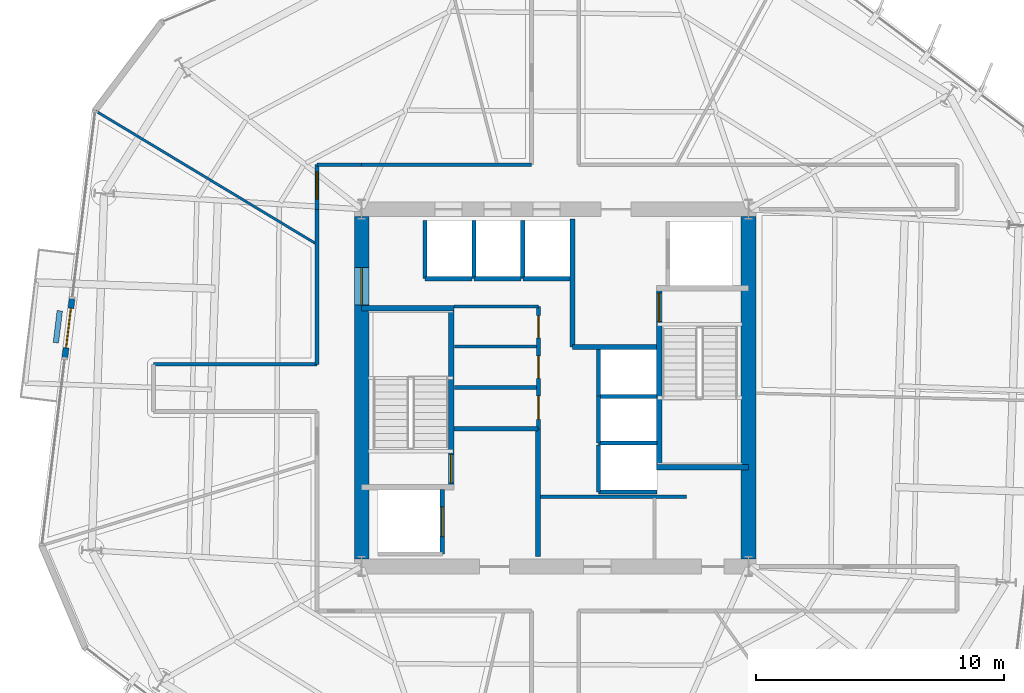
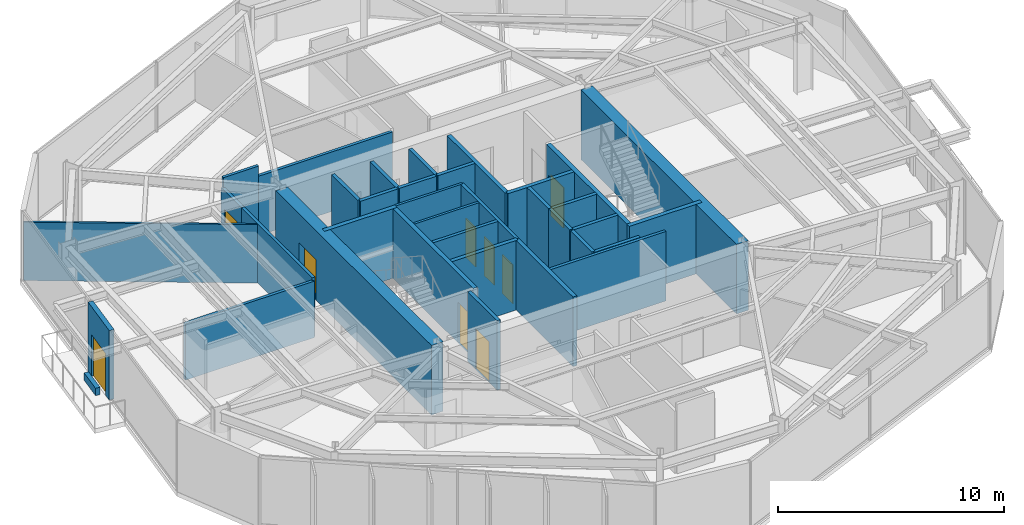
# One storey, part 7 of 11: 36 walls, 9 doors, 9 openings.
"""IFC4 building model written with IfcOpenShell, lengths in metres."""

from ifc_helpers import new_model, si_unit, direction, frame, frame_2d, origin, place, context, subcontext, project, spatial, rectangle, extrude, material, layer, layer_set, type_object, element, fill, save


model = new_model("IFC4")

# Units and contexts
model_context = context("Model", 3, precision=1e-05, world=origin(), true_north=direction((0.0, 1.0)))
body_context = subcontext(model_context, "Body", "Model", "MODEL_VIEW")
ifc_project = project(units=[si_unit("LENGTHUNIT", "METRE"), si_unit("AREAUNIT", "SQUARE_METRE"), si_unit("VOLUMEUNIT", "CUBIC_METRE"), si_unit("PLANEANGLEUNIT", "RADIAN"), si_unit("MASSUNIT", "GRAM", prefix="KILO")], contexts=[model_context])

# Site, building, storey
site_placement = place(None, origin())
site = spatial("IfcSite", under=ifc_project, at=site_placement, CompositionType="ELEMENT")
building_placement = place(site_placement, origin())
building = spatial("IfcBuilding", under=site, at=building_placement, Name="Kranzbogen Civic Tower", CompositionType="ELEMENT")
storey_placement = place(building_placement, frame((0.0, 0.0, 114.39990234375)))
storey = spatial("IfcBuildingStorey", under=building, at=storey_placement, Name="L27", CompositionType="ELEMENT", Elevation=114.39990234375)

# Walls
ifc_material_1 = material(Name="Double-Stud Acoustic Gypsum Partition")
ifc_layer_1 = layer(ifc_material_1, 0.14990234375, Name="Double-Stud Acoustic Gypsum Partition")
ifc_layer_set_1 = layer_set([ifc_layer_1], Name="Double-Stud Acoustic Gypsum Partition")
wall_type_1 = type_object("IfcWallType", Name="Acoustic Corridor and Clinical Partition 150 mm", PredefinedType="PARTITIONING", material=ifc_layer_set_1)
wall_1_placement = place(storey_placement, frame((24.39990234375, 20.610107421875, 0.0), z_axis=(0.0, 0.0, 1.0), x_axis=(1.0, 0.0, 0.0)))
element("IfcWall", 1, at=wall_1_placement, inside=storey, type_object=wall_type_1, Name="L27 records zone North wall", PredefinedType="PARTITIONING", context=body_context, shape_type="SweptSolid", body=[
    extrude(rectangle(XDim=5.900146484375, YDim=0.14990234375, at=frame_2d((2.9501953125, 0.0))), origin(), (0.0, 0.0, 1.0), 3.760009765625),
])
wall_2_placement = place(storey_placement, frame((8.800048828125, 25.949951171875, 0.0), z_axis=(0.0, 0.0, 1.0), x_axis=(1.0, 0.0, 0.0)))
element("IfcWall", 2, at=wall_2_placement, inside=storey, type_object=wall_type_1, Name="L27 corridor partition 06", PredefinedType="PARTITIONING", context=body_context, shape_type="SweptSolid", body=[
    extrude(rectangle(XDim=6.599853515625, YDim=0.14990234375, at=frame_2d((3.2998046875, 0.0))), origin(), (0.0, 0.0, 1.0), 3.050048828125),
])
wall_3_placement = place(storey_placement, frame((15.39990234375, 25.949951171875, 0.0), z_axis=(0.0, 0.0, 1.0), x_axis=(0.0, 1.0, 0.0)))
element("IfcWall", 3, at=wall_3_placement, inside=storey, type_object=wall_type_1, Name="L27 corridor partition 07", PredefinedType="PARTITIONING", context=body_context, shape_type="SweptSolid", body=[
    extrude(rectangle(XDim=6.25, YDim=0.14990234375, at=frame_2d((3.125, 0.0))), origin(), (0.0, 0.0, 1.0), 3.210205078125),
])

# Wall, opening, door
wall_4_placement = place(storey_placement, frame((15.39990234375, 32.199951171875, 0.0), z_axis=(0.0, 0.0, 1.0), x_axis=(0.0, 1.0, 0.0)))
wall_4 = element("IfcWall", 4, at=wall_4_placement, inside=storey, type_object=wall_type_1, Name="L27 corridor partition 08", PredefinedType="PARTITIONING", context=body_context, shape_type="SweptSolid", body=[
    extrude(rectangle(XDim=1.800048828125, YDim=0.14990234375, at=frame_2d((0.89990234375, 0.0))), origin(), (0.0, 0.0, 1.0), 3.210205078125),
])
opening_1_placement = place(wall_4_placement, frame((0.4130859375, 0.0, 0.0)))
opening_1 = element("IfcOpeningElement", 5, at=opening_1_placement, cuts=wall_4, Name="Opening D-COR60", PredefinedType="OPENING", context=body_context, shape_type="SweptSolid", body=[
    extrude(rectangle(XDim=1.10009765625, YDim=2.199951171875, at=frame_2d((0.550048828125, 1.10009765625))), frame((0.0, 0.0849609375, 0.0), z_axis=(0.0, -1.0, 0.0), x_axis=(1.0, 0.0, 0.0)), (0.0, 0.0, 1.0), 0.169921875),
])
ifc_material_2 = material(Name="Oak Timber and Fire Core", Category="wood")
door_type_1 = type_object("IfcDoorType", Name="Corridor Acoustic Fire Door 1100x2200", OperationType="NOTDEFINED", PredefinedType="DOOR", material=ifc_material_2)
door_1_placement = place(opening_1_placement, origin())
door_1 = element("IfcDoor", 6, at=door_1_placement, inside=storey, type_object=door_type_1, Name="L27 Protocol Dining Room door", OperationType="SINGLE_SWING_LEFT", OverallHeight=2.199951171875, OverallWidth=1.10009765625, PredefinedType="DOOR", context=body_context, shape_type="SweptSolid", body=[
    extrude(rectangle(XDim=1.10009765625, YDim=2.199951171875, at=frame_2d((0.550048828125, 1.10009765625))), frame((0.0, 0.02490234375, 0.0), z_axis=(0.0, -1.0, 0.0), x_axis=(1.0, 0.0, 0.0)), (0.0, 0.0, 1.0), 0.050048828125),
])
fill(opening_1, door_1)

# Walls
wall_5_placement = place(storey_placement, frame((15.39990234375, 34.0, 0.0), z_axis=(0.0, 0.0, 1.0), x_axis=(1.0, 0.0, 0.0)))
element("IfcWall", 7, at=wall_5_placement, inside=storey, type_object=wall_type_1, Name="L27 corridor partition 09", PredefinedType="PARTITIONING", context=body_context, shape_type="SweptSolid", body=[
    extrude(rectangle(XDim=1.800048828125, YDim=0.14990234375, at=frame_2d((0.89990234375, 0.0))), origin(), (0.0, 0.0, 1.0), 3.760009765625),
])
wall_6_placement = place(storey_placement, frame((17.199951171875, 34.0, 0.0), z_axis=(0.0, 0.0, 1.0), x_axis=(1.0, 0.0, 0.0)))
element("IfcWall", 8, at=wall_6_placement, inside=storey, type_object=wall_type_1, Name="L27 corridor partition 10", PredefinedType="PARTITIONING", context=body_context, shape_type="SweptSolid", body=[
    extrude(rectangle(XDim=6.85009765625, YDim=0.14990234375, at=frame_2d((3.425048828125, 0.0))), origin(), (0.0, 0.0, 1.0), 3.210205078125),
])
ifc_material_3 = material(Name="Insulated Metal-Stud Gypsum Partition")
ifc_layer_2 = layer(ifc_material_3, 0.125, Name="Insulated Metal-Stud Gypsum Partition")
ifc_layer_set_2 = layer_set([ifc_layer_2], Name="Insulated Metal-Stud Gypsum Partition")
wall_type_2 = type_object("IfcWallType", Name="Acoustic Inter-Room Partition 125 mm", PredefinedType="PARTITIONING", material=ifc_layer_set_2)
wall_7_placement = place(storey_placement, frame((20.919921875, 28.280029296875, 0.0), z_axis=(0.0, 0.0, 1.0), x_axis=(1.0, 0.0, 0.0)))
element("IfcWall", 9, at=wall_7_placement, inside=storey, type_object=wall_type_2, Name="L27 core auxiliary North wall", PredefinedType="PARTITIONING", context=body_context, shape_type="SweptSolid", body=[
    extrude(rectangle(XDim=3.405029296875, YDim=0.125, at=frame_2d((1.70263671875, 0.0))), origin(), (0.0, 0.0, 1.0), 3.760009765625),
])
wall_8_placement = place(storey_placement, frame((20.949951171875, 26.659912109375, 0.0), z_axis=(0.0, 0.0, 1.0), x_axis=(1.0, 0.0, 0.0)))
element("IfcWall", 10, at=wall_8_placement, inside=storey, type_object=wall_type_2, Name="L27 core auxiliary partition 3", PredefinedType="PARTITIONING", context=body_context, shape_type="SweptSolid", body=[
    extrude(rectangle(XDim=3.300048828125, YDim=0.125, at=frame_2d((1.64990234375, 0.0))), origin(), (0.0, 0.0, 1.0), 3.760009765625),
])
ifc_material_4 = material(Name="Architectural Precast Terracotta Concrete C40/50", Category="masonry")
ifc_layer_3 = layer(ifc_material_4, 0.219970703125, Name="Architectural Precast Terracotta Concrete C40/50")
ifc_layer_set_3 = layer_set([ifc_layer_3], Name="Architectural Precast Terracotta Concrete C40/50")
wall_type_3 = type_object("IfcWallType", Name="Architectural Tree Planter Kerb Wall 220 mm", PredefinedType="USERDEFINED", material=ifc_layer_set_3)
wall_9_placement = place(storey_placement, frame((5.02490234375, 28.10791015625, 0.0), z_axis=(0.0, 0.0, 1.0), x_axis=(-0.121560078921, -0.992584075639, 0.0)))
element("IfcWall", 11, at=wall_9_placement, inside=storey, type_object=wall_type_3, Name="L27 landscaped tree balcony planter L27-TB1", ObjectType="PLANTER_WALL", PredefinedType="USERDEFINED", context=body_context, shape_type="SweptSolid", body=[
    extrude(rectangle(XDim=1.29931640625, YDim=0.219970703125, at=frame_2d((0.649658203125, 0.0))), origin(), (0.0, 0.0, 1.0), 0.400146484375),
])

# Wall, opening, door
ifc_material_5 = material(Name="Concrete C55/67", Category="concrete")
ifc_layer_4 = layer(ifc_material_5, 0.60009765625, Name="Concrete C55/67")
ifc_layer_set_4 = layer_set([ifc_layer_4], Name="Concrete C55/67")
wall_type_4 = type_object("IfcWallType", Name="Central Core Shear Wall 600 mm", PredefinedType="SHEAR", material=ifc_layer_set_4)
wall_10_placement = place(storey_placement, frame((17.199951171875, 31.89990234375, 0.0), z_axis=(0.0, 0.0, 1.0), x_axis=(0.0, -1.0, 0.0)))
wall_10 = element("IfcWall", 12, at=wall_10_placement, inside=storey, type_object=wall_type_4, Name="L27 central core West shear wall", PredefinedType="SHEAR", context=body_context, shape_type="SweptSolid", body=[
    extrude(rectangle(XDim=13.7998046875, YDim=0.60009765625, at=frame_2d((6.89990234375, 0.0))), origin(), (0.0, 0.0, 1.0), 3.760009765625),
])
opening_2_placement = place(wall_10_placement, frame((2.050048828125, 0.0, 0.0)))
opening_2 = element("IfcOpeningElement", 13, at=opening_2_placement, cuts=wall_10, Name="Opening D-DBL15", PredefinedType="OPENING", context=body_context, shape_type="SweptSolid", body=[
    extrude(rectangle(XDim=1.5, YDim=2.199951171875, at=frame_2d((0.75, 1.10009765625))), frame((0.0, 0.31005859375, 0.0), z_axis=(0.0, -1.0, 0.0), x_axis=(1.0, 0.0, 0.0)), (0.0, 0.0, 1.0), 0.6201171875),
])
ifc_material_6 = material(Name="Anodised Bronze and Glass", Category="glass")
door_type_2 = type_object("IfcDoorType", Name="Civic Lobby Double Door 1500x2200", OperationType="DOUBLE_DOOR_SINGLE_SWING", PredefinedType="DOOR", material=ifc_material_6)
door_2_placement = place(opening_2_placement, origin())
door_2 = element("IfcDoor", 14, at=door_2_placement, inside=storey, type_object=door_type_2, Name="L27 Central Lift Lobby West concourse door", OperationType="DOUBLE_DOOR_SINGLE_SWING", OverallHeight=2.199951171875, OverallWidth=1.5, PredefinedType="DOOR", context=body_context, shape_type="SweptSolid", body=[
    extrude(rectangle(XDim=1.5, YDim=2.199951171875, at=frame_2d((0.75, 1.10009765625))), frame((0.0, 0.02490234375, 0.0), z_axis=(0.0, -1.0, 0.0), x_axis=(1.0, 0.0, 0.0)), (0.0, 0.0, 1.0), 0.050048828125),
])
fill(opening_2, door_2)

# Wall
wall_11_placement = place(storey_placement, frame((32.800048828125, 18.10009765625, 0.0), z_axis=(0.0, 0.0, 1.0), x_axis=(0.0, 1.0, 0.0)))
element("IfcWall", 15, at=wall_11_placement, inside=storey, type_object=wall_type_4, Name="L27 central core East shear wall", PredefinedType="SHEAR", context=body_context, shape_type="SweptSolid", body=[
    extrude(rectangle(XDim=13.7998046875, YDim=0.60009765625, at=frame_2d((6.89990234375, 0.0))), origin(), (0.0, 0.0, 1.0), 3.760009765625),
])

# Wall, opening, door
ifc_material_7 = material(Name="Concrete C45/55", Category="concrete")
ifc_layer_5 = layer(ifc_material_7, 0.219970703125, Name="Concrete C45/55")
ifc_layer_set_5 = layer_set([ifc_layer_5], Name="Concrete C45/55")
wall_type_5 = type_object("IfcWallType", Name="Core Internal Stair Structural Wall 220 mm", PredefinedType="SOLIDWALL", material=ifc_layer_set_5)
wall_12_placement = place(storey_placement, frame((20.81005859375, 20.989990234375, 0.0), z_axis=(0.0, 0.0, 1.0), x_axis=(0.0, 1.0, 0.0)))
wall_12 = element("IfcWall", 16, at=wall_12_placement, inside=storey, type_object=wall_type_5, Name="L27 ST-T1 East structural stair wall", PredefinedType="SOLIDWALL", context=body_context, shape_type="SweptSolid", body=[
    extrude(rectangle(XDim=7.219970703125, YDim=0.219970703125, at=frame_2d((3.60986328125, 0.0))), origin(), (0.0, 0.0, 1.0), 3.760009765625),
])
opening_3_placement = place(wall_12_placement, frame((0.179931640625, 0.0, 0.0)))
opening_3 = element("IfcOpeningElement", 17, at=opening_3_placement, cuts=wall_12, Name="Opening D-ST90", PredefinedType="OPENING", context=body_context, shape_type="SweptSolid", body=[
    extrude(rectangle(XDim=1.14990234375, YDim=2.199951171875, at=frame_2d((0.574951171875, 1.10009765625))), frame((0.0, 0.1201171875, 0.0), z_axis=(0.0, -1.0, 0.0), x_axis=(1.0, 0.0, 0.0)), (0.0, 0.0, 1.0), 0.239990234375),
])
ifc_material_8 = material(Name="Steel S355", Category="steel")
door_type_3 = type_object("IfcDoorType", Name="Pressurized Stair and Lobby Fire Door 1150x2200", OperationType="NOTDEFINED", PredefinedType="DOOR", material=ifc_material_8)
door_3_placement = place(opening_3_placement, origin())
door_3 = element("IfcDoor", 18, at=door_3_placement, inside=storey, type_object=door_type_3, Name="L27 Stair ST-T1 fire door", OperationType="SINGLE_SWING_LEFT", OverallHeight=2.199951171875, OverallWidth=1.14990234375, PredefinedType="DOOR", context=body_context, shape_type="SweptSolid", body=[
    extrude(rectangle(XDim=1.14990234375, YDim=2.199951171875, at=frame_2d((0.574951171875, 1.10009765625))), frame((0.0, 0.02490234375, 0.0), z_axis=(0.0, -1.0, 0.0), x_axis=(1.0, 0.0, 0.0)), (0.0, 0.0, 1.0), 0.050048828125),
])
fill(opening_3, door_3)

# Wall
wall_13_placement = place(storey_placement, frame((17.199951171875, 28.2099609375, 0.0), z_axis=(0.0, 0.0, 1.0), x_axis=(1.0, 0.0, 0.0)))
element("IfcWall", 19, at=wall_13_placement, inside=storey, type_object=wall_type_5, Name="L27 ST-T1 North structural stair wall", PredefinedType="SOLIDWALL", context=body_context, shape_type="SweptSolid", body=[
    extrude(rectangle(XDim=3.719970703125, YDim=0.219970703125, at=frame_2d((1.85986328125, 0.0))), origin(), (0.0, 0.0, 1.0), 3.760009765625),
])

# Wall, opening, door
wall_14_placement = place(storey_placement, frame((29.18994140625, 21.7900390625, 0.0), z_axis=(0.0, 0.0, 1.0), x_axis=(0.0, 1.0, 0.0)))
wall_14 = element("IfcWall", 20, at=wall_14_placement, inside=storey, type_object=wall_type_5, Name="L27 ST-T2 West structural stair wall", PredefinedType="SOLIDWALL", context=body_context, shape_type="SweptSolid", body=[
    extrude(rectangle(XDim=7.219970703125, YDim=0.219970703125, at=frame_2d((3.60986328125, 0.0))), origin(), (0.0, 0.0, 1.0), 3.760009765625),
])
opening_4_placement = place(wall_14_placement, frame((5.8798828125, 0.0, 0.0)))
opening_4 = element("IfcOpeningElement", 21, at=opening_4_placement, cuts=wall_14, Name="Opening D-ST90", PredefinedType="OPENING", context=body_context, shape_type="SweptSolid", body=[
    extrude(rectangle(XDim=1.14990234375, YDim=2.199951171875, at=frame_2d((0.574951171875, 1.10009765625))), frame((0.0, 0.1201171875, 0.0), z_axis=(0.0, -1.0, 0.0), x_axis=(1.0, 0.0, 0.0)), (0.0, 0.0, 1.0), 0.239990234375),
])
door_4_placement = place(opening_4_placement, origin())
door_4 = element("IfcDoor", 22, at=door_4_placement, inside=storey, type_object=door_type_3, Name="L27 Stair ST-T2 fire door", OperationType="SINGLE_SWING_RIGHT", OverallHeight=2.199951171875, OverallWidth=1.14990234375, PredefinedType="DOOR", context=body_context, shape_type="SweptSolid", body=[
    extrude(rectangle(XDim=1.14990234375, YDim=2.199951171875, at=frame_2d((0.574951171875, 1.10009765625))), frame((0.0, 0.02490234375, 0.0), z_axis=(0.0, -1.0, 0.0), x_axis=(1.0, 0.0, 0.0)), (0.0, 0.0, 1.0), 0.050048828125),
])
fill(opening_4, door_4)

# Walls
wall_15_placement = place(storey_placement, frame((29.080078125, 21.7900390625, 0.0), z_axis=(0.0, 0.0, 1.0), x_axis=(1.0, 0.0, 0.0)))
element("IfcWall", 23, at=wall_15_placement, inside=storey, type_object=wall_type_5, Name="L27 ST-T2 South structural stair wall", PredefinedType="SOLIDWALL", context=body_context, shape_type="SweptSolid", body=[
    extrude(rectangle(XDim=3.719970703125, YDim=0.219970703125, at=frame_2d((1.85986328125, 0.0))), origin(), (0.0, 0.0, 1.0), 3.760009765625),
])
ifc_material_9 = material(Name="Demountable Aluminium and Gypsum Partition", Category="aluminium")
ifc_layer_6 = layer(ifc_material_9, 0.10009765625, Name="Demountable Aluminium and Gypsum Partition")
ifc_layer_set_6 = layer_set([ifc_layer_6], Name="Demountable Aluminium and Gypsum Partition")
wall_type_6 = type_object("IfcWallType", Name="Demountable Office Partition 100 mm", PredefinedType="MOVABLE", material=ifc_layer_set_6)
wall_16_placement = place(storey_placement, frame((15.39990234375, 30.784912109375, 0.0), z_axis=(0.0, 0.0, 1.0), x_axis=(-0.856479099456, 0.51618170463, 0.0)))
element("IfcWall", 24, at=wall_16_placement, inside=storey, type_object=wall_type_6, Name="L27 radial room partition 03", PredefinedType="MOVABLE", context=body_context, shape_type="SweptSolid", body=[
    extrude(rectangle(XDim=10.4287109375, YDim=0.10009765625, at=frame_2d((5.21435546875, 0.0))), origin(), (0.0, 0.0, 1.0), 3.16015625),
])
ifc_material_10 = material(Name="Gypsum Fireboard and Concrete Block", Category="concrete")
ifc_layer_7 = layer(ifc_material_10, 0.199951171875, Name="Gypsum Fireboard and Concrete Block")
ifc_layer_set_7 = layer_set([ifc_layer_7], Name="Gypsum Fireboard and Concrete Block")
wall_type_7 = type_object("IfcWallType", Name="Fire-Rated Exit Passageway and Stair Wall 200 mm", PredefinedType="PARTITIONING", material=ifc_layer_set_7)
wall_17_placement = place(storey_placement, frame((24.300048828125, 18.199951171875, 0.0), z_axis=(0.0, 0.0, 1.0), x_axis=(0.0, 1.0, 0.0)))
element("IfcWall", 25, at=wall_17_placement, inside=storey, type_object=wall_type_7, Name="L27 West firefighting lobby East wall", PredefinedType="PARTITIONING", context=body_context, shape_type="SweptSolid", body=[
    extrude(rectangle(XDim=5.150146484375, YDim=0.199951171875, at=frame_2d((2.5751953125, 0.0))), origin(), (0.0, 0.0, 1.0), 3.760009765625),
])
wall_18_placement = place(storey_placement, frame((20.919921875, 23.35009765625, 0.0), z_axis=(0.0, 0.0, 1.0), x_axis=(1.0, 0.0, 0.0)))
element("IfcWall", 26, at=wall_18_placement, inside=storey, type_object=wall_type_7, Name="L27 West firefighting lobby North wall", PredefinedType="PARTITIONING", context=body_context, shape_type="SweptSolid", body=[
    extrude(rectangle(XDim=3.380126953125, YDim=0.199951171875, at=frame_2d((1.68994140625, 0.0))), origin(), (0.0, 0.0, 1.0), 3.760009765625),
])
wall_19_placement = place(storey_placement, frame((25.699951171875, 26.64990234375, 0.0), z_axis=(0.0, 0.0, 1.0), x_axis=(0.0, 1.0, 0.0)))
element("IfcWall", 27, at=wall_19_placement, inside=storey, type_object=wall_type_7, Name="L27 East firefighting lobby West wall", PredefinedType="PARTITIONING", context=body_context, shape_type="SweptSolid", body=[
    extrude(rectangle(XDim=5.150146484375, YDim=0.199951171875, at=frame_2d((2.5751953125, 0.0))), origin(), (0.0, 0.0, 1.0), 3.760009765625),
])
wall_20_placement = place(storey_placement, frame((25.699951171875, 26.64990234375, 0.0), z_axis=(0.0, 0.0, 1.0), x_axis=(1.0, 0.0, 0.0)))
element("IfcWall", 28, at=wall_20_placement, inside=storey, type_object=wall_type_7, Name="L27 East firefighting lobby South wall", PredefinedType="PARTITIONING", context=body_context, shape_type="SweptSolid", body=[
    extrude(rectangle(XDim=3.380126953125, YDim=0.199951171875, at=frame_2d((1.68994140625, 0.0))), origin(), (0.0, 0.0, 1.0), 3.760009765625),
])
ifc_material_11 = material(Name="Gypsum Fireboard Shaftliner")
ifc_layer_8 = layer(ifc_material_11, 0.175048828125, Name="Gypsum Fireboard Shaftliner")
ifc_layer_set_8 = layer_set([ifc_layer_8], Name="Gypsum Fireboard Shaftliner")
wall_type_8 = type_object("IfcWallType", Name="Fire-Rated Lift and Service Shaft Wall 175 mm", PredefinedType="PARTITIONING", material=ifc_layer_set_8)
wall_21_placement = place(storey_placement, frame((19.75, 29.39990234375, 0.0), z_axis=(0.0, 0.0, 1.0), x_axis=(1.0, 0.0, 0.0)))
element("IfcWall", 29, at=wall_21_placement, inside=storey, type_object=wall_type_8, Name="L27 lift MP-01 rear wall", PredefinedType="PARTITIONING", context=body_context, shape_type="SweptSolid", body=[
    extrude(rectangle(XDim=1.89990234375, YDim=0.175048828125, at=frame_2d((0.949951171875, 0.0))), origin(), (0.0, 0.0, 1.0), 3.760009765625),
])
wall_22_placement = place(storey_placement, frame((19.75, 29.39990234375, 0.0), z_axis=(0.0, 0.0, 1.0), x_axis=(0.0, 1.0, 0.0)))
element("IfcWall", 30, at=wall_22_placement, inside=storey, type_object=wall_type_8, Name="L27 lift MP-01 side wall", PredefinedType="PARTITIONING", context=body_context, shape_type="SweptSolid", body=[
    extrude(rectangle(XDim=2.35009765625, YDim=0.175048828125, at=frame_2d((1.175048828125, 0.0))), origin(), (0.0, 0.0, 1.0), 3.760009765625),
])
wall_23_placement = place(storey_placement, frame((21.72509765625, 29.39990234375, 0.0), z_axis=(0.0, 0.0, 1.0), x_axis=(1.0, 0.0, 0.0)))
element("IfcWall", 31, at=wall_23_placement, inside=storey, type_object=wall_type_8, Name="L27 lift MP-02 rear wall", PredefinedType="PARTITIONING", context=body_context, shape_type="SweptSolid", body=[
    extrude(rectangle(XDim=1.89990234375, YDim=0.175048828125, at=frame_2d((0.949951171875, 0.0))), origin(), (0.0, 0.0, 1.0), 3.760009765625),
])
wall_24_placement = place(storey_placement, frame((21.72509765625, 29.39990234375, 0.0), z_axis=(0.0, 0.0, 1.0), x_axis=(0.0, 1.0, 0.0)))
element("IfcWall", 32, at=wall_24_placement, inside=storey, type_object=wall_type_8, Name="L27 lift MP-02 side wall", PredefinedType="PARTITIONING", context=body_context, shape_type="SweptSolid", body=[
    extrude(rectangle(XDim=2.35009765625, YDim=0.175048828125, at=frame_2d((1.175048828125, 0.0))), origin(), (0.0, 0.0, 1.0), 3.760009765625),
])
wall_25_placement = place(storey_placement, frame((23.699951171875, 29.39990234375, 0.0), z_axis=(0.0, 0.0, 1.0), x_axis=(1.0, 0.0, 0.0)))
element("IfcWall", 33, at=wall_25_placement, inside=storey, type_object=wall_type_8, Name="L27 lift MP-03 rear wall", PredefinedType="PARTITIONING", context=body_context, shape_type="SweptSolid", body=[
    extrude(rectangle(XDim=1.900146484375, YDim=0.175048828125, at=frame_2d((0.9501953125, 0.0))), origin(), (0.0, 0.0, 1.0), 3.760009765625),
])
wall_26_placement = place(storey_placement, frame((23.699951171875, 29.39990234375, 0.0), z_axis=(0.0, 0.0, 1.0), x_axis=(0.0, 1.0, 0.0)))
element("IfcWall", 34, at=wall_26_placement, inside=storey, type_object=wall_type_8, Name="L27 lift MP-03 side wall", PredefinedType="PARTITIONING", context=body_context, shape_type="SweptSolid", body=[
    extrude(rectangle(XDim=2.35009765625, YDim=0.175048828125, at=frame_2d((1.175048828125, 0.0))), origin(), (0.0, 0.0, 1.0), 3.760009765625),
])
wall_27_placement = place(storey_placement, frame((26.75, 20.800048828125, 0.0), z_axis=(0.0, 0.0, 1.0), x_axis=(0.0, 1.0, 0.0)))
element("IfcWall", 35, at=wall_27_placement, inside=storey, type_object=wall_type_8, Name="L27 lift HP-01 landing wall", PredefinedType="PARTITIONING", context=body_context, shape_type="SweptSolid", body=[
    extrude(rectangle(XDim=1.89990234375, YDim=0.175048828125, at=frame_2d((0.949951171875, 0.0))), origin(), (0.0, 0.0, 1.0), 3.760009765625),
])
wall_28_placement = place(storey_placement, frame((26.75, 20.800048828125, 0.0), z_axis=(0.0, 0.0, 1.0), x_axis=(1.0, 0.0, 0.0)))
element("IfcWall", 36, at=wall_28_placement, inside=storey, type_object=wall_type_8, Name="L27 lift HP-01 side wall", PredefinedType="PARTITIONING", context=body_context, shape_type="SweptSolid", body=[
    extrude(rectangle(XDim=2.35009765625, YDim=0.175048828125, at=frame_2d((1.175048828125, 0.0))), origin(), (0.0, 0.0, 1.0), 3.760009765625),
])
wall_29_placement = place(storey_placement, frame((26.75, 22.77490234375, 0.0), z_axis=(0.0, 0.0, 1.0), x_axis=(0.0, 1.0, 0.0)))
element("IfcWall", 37, at=wall_29_placement, inside=storey, type_object=wall_type_8, Name="L27 lift HP-02 landing wall", PredefinedType="PARTITIONING", context=body_context, shape_type="SweptSolid", body=[
    extrude(rectangle(XDim=1.900146484375, YDim=0.175048828125, at=frame_2d((0.9501953125, 0.0))), origin(), (0.0, 0.0, 1.0), 3.760009765625),
])
wall_30_placement = place(storey_placement, frame((26.75, 22.77490234375, 0.0), z_axis=(0.0, 0.0, 1.0), x_axis=(1.0, 0.0, 0.0)))
element("IfcWall", 38, at=wall_30_placement, inside=storey, type_object=wall_type_8, Name="L27 lift HP-02 side wall", PredefinedType="PARTITIONING", context=body_context, shape_type="SweptSolid", body=[
    extrude(rectangle(XDim=2.35009765625, YDim=0.175048828125, at=frame_2d((1.175048828125, 0.0))), origin(), (0.0, 0.0, 1.0), 3.760009765625),
])
wall_31_placement = place(storey_placement, frame((26.75, 24.64990234375, 0.0), z_axis=(0.0, 0.0, 1.0), x_axis=(0.0, 1.0, 0.0)))
element("IfcWall", 39, at=wall_31_placement, inside=storey, type_object=wall_type_8, Name="L27 lift HP-03 landing wall", PredefinedType="PARTITIONING", context=body_context, shape_type="SweptSolid", body=[
    extrude(rectangle(XDim=1.900146484375, YDim=0.175048828125, at=frame_2d((0.9501953125, 0.0))), origin(), (0.0, 0.0, 1.0), 3.760009765625),
])
wall_32_placement = place(storey_placement, frame((26.75, 24.64990234375, 0.0), z_axis=(0.0, 0.0, 1.0), x_axis=(1.0, 0.0, 0.0)))
element("IfcWall", 40, at=wall_32_placement, inside=storey, type_object=wall_type_8, Name="L27 lift HP-03 side wall", PredefinedType="PARTITIONING", context=body_context, shape_type="SweptSolid", body=[
    extrude(rectangle(XDim=2.35009765625, YDim=0.175048828125, at=frame_2d((1.175048828125, 0.0))), origin(), (0.0, 0.0, 1.0), 3.760009765625),
])

# Wall, opening, door
wall_33_placement = place(storey_placement, frame((20.449951171875, 18.300048828125, 0.0), z_axis=(0.0, 0.0, 1.0), x_axis=(0.0, 1.0, 0.0)))
wall_33 = element("IfcWall", 41, at=wall_33_placement, inside=storey, type_object=wall_type_8, Name="L27 lift FF-01 landing wall", PredefinedType="PARTITIONING", context=body_context, shape_type="SweptSolid", body=[
    extrude(rectangle(XDim=2.599853515625, YDim=0.175048828125, at=frame_2d((1.2998046875, 0.0))), origin(), (0.0, 0.0, 1.0), 3.760009765625),
])
opening_5_placement = place(wall_33_placement, frame((0.699951171875, 0.0, 0.0)))
opening_5 = element("IfcOpeningElement", 42, at=opening_5_placement, cuts=wall_33, Name="Opening LD-FF-01", PredefinedType="OPENING", context=body_context, shape_type="SweptSolid", body=[
    extrude(rectangle(XDim=1.199951171875, YDim=2.199951171875, at=frame_2d((0.60009765625, 1.10009765625))), frame((0.0, 0.09765625, 0.0), z_axis=(0.0, -1.0, 0.0), x_axis=(1.0, 0.0, 0.0)), (0.0, 0.0, 1.0), 0.195068359375),
])
ifc_material_12 = material(Name="Pale Anodised Aluminium", Category="aluminium")
door_type_4 = type_object("IfcDoorType", Name="Firefighting and Stretcher Lift Sliding Landing Door 1200x2200", OperationType="DOUBLE_DOOR_SLIDING", PredefinedType="DOOR", material=ifc_material_12)
door_5_placement = place(opening_5_placement, origin())
door_5 = element("IfcDoor", 43, at=door_5_placement, inside=storey, type_object=door_type_4, Name="L27 lift FF-01 sliding landing door", OperationType="DOUBLE_DOOR_SLIDING", OverallHeight=2.199951171875, OverallWidth=1.199951171875, PredefinedType="DOOR", context=body_context, shape_type="SweptSolid", body=[
    extrude(rectangle(XDim=1.199951171875, YDim=2.199951171875, at=frame_2d((0.60009765625, 1.10009765625))), frame((0.0, 0.02490234375, 0.0), z_axis=(0.0, -1.0, 0.0), x_axis=(1.0, 0.0, 0.0)), (0.0, 0.0, 1.0), 0.050048828125),
])
fill(opening_5, door_5)

ifc_layer_9 = layer(ifc_material_12, 0.239990234375, Name="Pale Anodised Aluminium")
ifc_layer_set_9 = layer_set([ifc_layer_9], Name="Pale Anodised Aluminium")
wall_type_9 = type_object("IfcWallType", Name="Insulated Aluminium Facade Portal Wall 240 mm", PredefinedType="STANDARD", material=ifc_layer_set_9)
wall_34_placement = place(storey_placement, frame((5.52197265625, 28.60009765625, 0.0), z_axis=(0.0, 0.0, 1.0), x_axis=(-0.122068869435, -0.992521632568, 0.0)))
wall_34 = element("IfcWall", 44, at=wall_34_placement, inside=storey, type_object=wall_type_9, Name="L27 exterior entrance portal wall 1", PredefinedType="STANDARD", context=body_context, shape_type="SweptSolid", body=[
    extrude(rectangle(XDim=2.400146484375, YDim=0.239990234375, at=frame_2d((1.2001953125, 0.0))), origin(), (0.0, 0.0, 1.0), 3.760009765625),
])
opening_6_placement = place(wall_34_placement, frame((0.39990234375, 0.0, 0.0)))
opening_6 = element("IfcOpeningElement", 45, at=opening_6_placement, cuts=wall_34, Name="Opening D-TER", PredefinedType="OPENING", context=body_context, shape_type="SweptSolid", body=[
    extrude(rectangle(XDim=1.60009765625, YDim=2.25, at=frame_2d((0.800048828125, 1.125))), frame((0.0, 0.1298828125, 0.0), z_axis=(0.0, -1.0, 0.0), x_axis=(1.0, 0.0, 0.0)), (0.0, 0.0, 1.0), 0.260009765625),
])
ifc_material_13 = material(Name="Anodised Bronze and Triple Glass", Category="glass")
door_type_5 = type_object("IfcDoorType", Name="Glazed Terrace and Balcony Double Door 1600x2250", OperationType="DOUBLE_DOOR_SINGLE_SWING", PredefinedType="DOOR", material=ifc_material_13)
door_6_placement = place(opening_6_placement, frame((1.60009765625, 0.0, 0.0), z_axis=(0.0, 0.0, 1.0), x_axis=(-1.0, 0.0, 0.0)))
door_6 = element("IfcDoor", 46, at=door_6_placement, inside=storey, type_object=door_type_5, Name="L27 tree balcony access door L27-TB1", OperationType="DOUBLE_DOOR_SINGLE_SWING", OverallHeight=2.25, OverallWidth=1.60009765625, PredefinedType="DOOR", context=body_context, shape_type="SweptSolid", body=[
    extrude(rectangle(XDim=1.60009765625, YDim=2.25, at=frame_2d((0.800048828125, 1.125))), frame((0.0, 0.02490234375, 0.0), z_axis=(0.0, -1.0, 0.0), x_axis=(1.0, 0.0, 0.0)), (0.0, 0.0, 1.0), 0.050048828125),
])
fill(opening_6, door_6)

# Wall, openings, doors
ifc_material_14 = material(Name="Moisture-Resistant Gypsum Assembly")
ifc_layer_10 = layer(ifc_material_14, 0.159912109375, Name="Moisture-Resistant Gypsum Assembly")
ifc_layer_set_10 = layer_set([ifc_layer_10], Name="Moisture-Resistant Gypsum Assembly")
wall_type_10 = type_object("IfcWallType", Name="Sanitary and Plumbing Wet Wall 160 mm", PredefinedType="PLUMBINGWALL", material=ifc_layer_set_10)
wall_35_placement = place(storey_placement, frame((24.324951171875, 23.35009765625, 0.0), z_axis=(0.0, 0.0, 1.0), x_axis=(0.0, 1.0, 0.0)))
wall_35 = element("IfcWall", 47, at=wall_35_placement, inside=storey, type_object=wall_type_10, Name="L27 core auxiliary East wall", PredefinedType="PLUMBINGWALL", context=body_context, shape_type="SweptSolid", body=[
    extrude(rectangle(XDim=4.929931640625, YDim=0.159912109375, at=frame_2d((2.46484375, 0.0))), origin(), (0.0, 0.0, 1.0), 3.760009765625),
])
opening_7_placement = place(wall_35_placement, frame((0.375, 0.0, 0.0)))
opening_7 = element("IfcOpeningElement", 48, at=opening_7_placement, cuts=wall_35, Name="Opening D-AWC95", PredefinedType="OPENING", context=body_context, shape_type="SweptSolid", body=[
    extrude(rectangle(XDim=0.949951171875, YDim=2.10009765625, at=frame_2d((0.47509765625, 1.050048828125))), frame((0.0, 0.08984375, 0.0), z_axis=(0.0, -1.0, 0.0), x_axis=(1.0, 0.0, 0.0)), (0.0, 0.0, 1.0), 0.179931640625),
])
opening_8_placement = place(wall_35_placement, frame((2.034912109375, 0.0, 0.0)))
opening_8 = element("IfcOpeningElement", 49, at=opening_8_placement, cuts=wall_35, Name="Opening D-WC90", PredefinedType="OPENING", context=body_context, shape_type="SweptSolid", body=[
    extrude(rectangle(XDim=0.89990234375, YDim=2.10009765625, at=frame_2d((0.449951171875, 1.050048828125))), frame((0.0, 0.08984375, 0.0), z_axis=(0.0, -1.0, 0.0), x_axis=(1.0, 0.0, 0.0)), (0.0, 0.0, 1.0), 0.179931640625),
])
opening_9_placement = place(wall_35_placement, frame((3.659912109375, 0.0, 0.0)))
opening_9 = element("IfcOpeningElement", 50, at=opening_9_placement, cuts=wall_35, Name="Opening D-WC90", PredefinedType="OPENING", context=body_context, shape_type="SweptSolid", body=[
    extrude(rectangle(XDim=0.89990234375, YDim=2.10009765625, at=frame_2d((0.449951171875, 1.050048828125))), frame((0.0, 0.08984375, 0.0), z_axis=(0.0, -1.0, 0.0), x_axis=(1.0, 0.0, 0.0)), (0.0, 0.0, 1.0), 0.179931640625),
])
ifc_material_15 = material(Name="Moisture-Resistant Laminate")
door_type_6 = type_object("IfcDoorType", Name="Accessible Restroom Door 950x2100", OperationType="NOTDEFINED", PredefinedType="DOOR", material=ifc_material_15)
door_7_placement = place(opening_7_placement, origin())
door_7 = element("IfcDoor", 51, at=door_7_placement, inside=storey, type_object=door_type_6, Name="L27 Accessible Restroom door", OperationType="SINGLE_SWING_LEFT", OverallHeight=2.10009765625, OverallWidth=0.949951171875, PredefinedType="DOOR", context=body_context, shape_type="SweptSolid", body=[
    extrude(rectangle(XDim=0.949951171875, YDim=2.10009765625, at=frame_2d((0.47509765625, 1.050048828125))), frame((0.0, 0.02490234375, 0.0), z_axis=(0.0, -1.0, 0.0), x_axis=(1.0, 0.0, 0.0)), (0.0, 0.0, 1.0), 0.050048828125),
])
fill(opening_7, door_7)
door_type_7 = type_object("IfcDoorType", Name="Standard Restroom and Store Door 900x2100", OperationType="NOTDEFINED", PredefinedType="DOOR", material=ifc_material_15)
door_8_placement = place(opening_8_placement, origin())
door_8 = element("IfcDoor", 52, at=door_8_placement, inside=storey, type_object=door_type_7, Name="L27 Staff Restroom door", OperationType="SINGLE_SWING_RIGHT", OverallHeight=2.10009765625, OverallWidth=0.89990234375, PredefinedType="DOOR", context=body_context, shape_type="SweptSolid", body=[
    extrude(rectangle(XDim=0.89990234375, YDim=2.10009765625, at=frame_2d((0.449951171875, 1.050048828125))), frame((0.0, 0.02490234375, 0.0), z_axis=(0.0, -1.0, 0.0), x_axis=(1.0, 0.0, 0.0)), (0.0, 0.0, 1.0), 0.050048828125),
])
fill(opening_8, door_8)
door_9_placement = place(opening_9_placement, origin())
door_9 = element("IfcDoor", 53, at=door_9_placement, inside=storey, type_object=door_type_7, Name="L27 Cleaner and Janitor Store door", OperationType="SINGLE_SWING_LEFT", OverallHeight=2.10009765625, OverallWidth=0.89990234375, PredefinedType="DOOR", context=body_context, shape_type="SweptSolid", body=[
    extrude(rectangle(XDim=0.89990234375, YDim=2.10009765625, at=frame_2d((0.449951171875, 1.050048828125))), frame((0.0, 0.02490234375, 0.0), z_axis=(0.0, -1.0, 0.0), x_axis=(1.0, 0.0, 0.0)), (0.0, 0.0, 1.0), 0.050048828125),
])
fill(opening_9, door_9)

# Wall
wall_36_placement = place(storey_placement, frame((20.949951171875, 25.010009765625, 0.0), z_axis=(0.0, 0.0, 1.0), x_axis=(1.0, 0.0, 0.0)))
element("IfcWall", 54, at=wall_36_placement, inside=storey, type_object=wall_type_10, Name="L27 core auxiliary partition 2", PredefinedType="PLUMBINGWALL", context=body_context, shape_type="SweptSolid", body=[
    extrude(rectangle(XDim=3.300048828125, YDim=0.159912109375, at=frame_2d((1.64990234375, 0.0))), origin(), (0.0, 0.0, 1.0), 3.760009765625),
])

save(model, "model.ifc")
